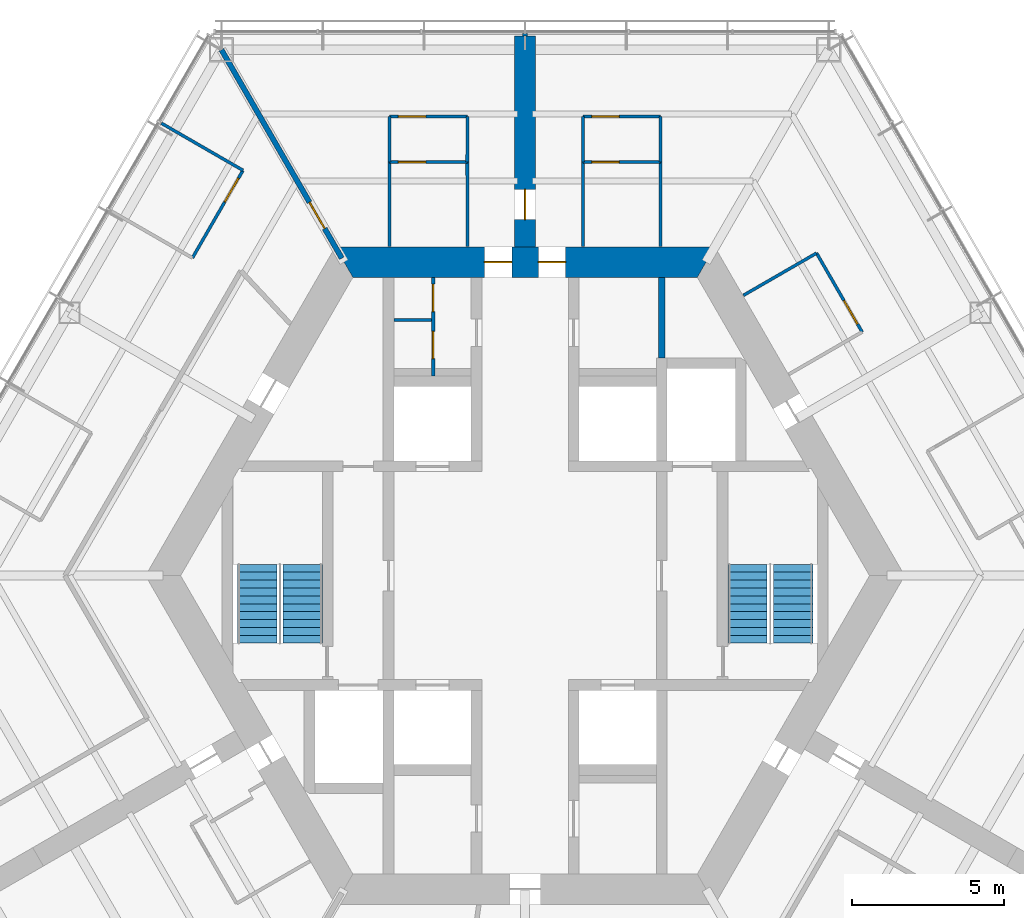
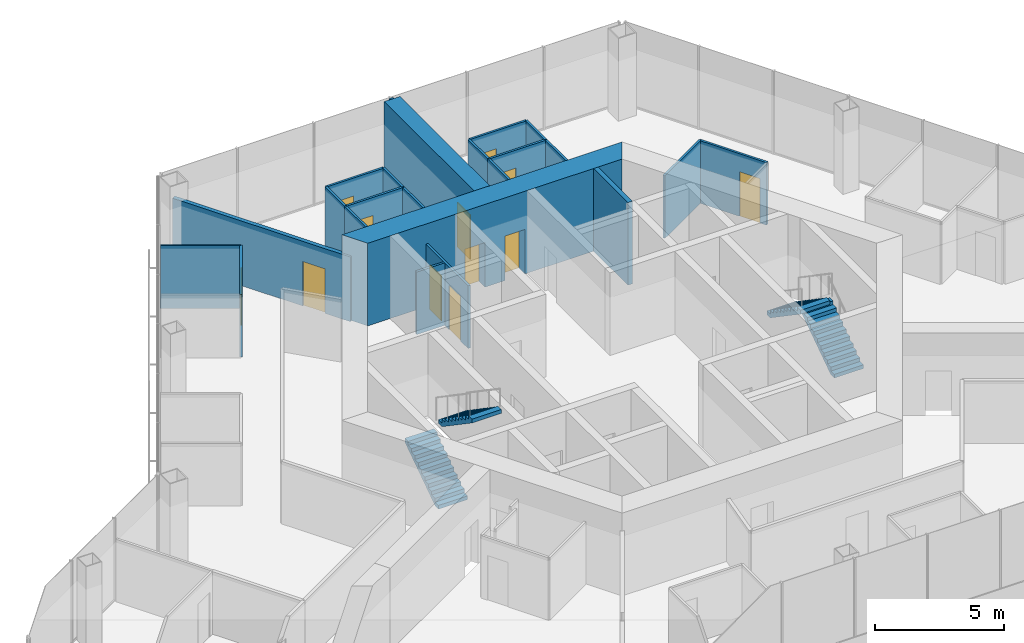
# One storey, part 15 of 18: 23 walls, 12 doors, 4 stair flights, 12 openings, 2 elements without a shape of their own.
"""IFC4 building model written with IfcOpenShell, lengths in metres."""

from ifc_helpers import new_model, si_unit, direction, frame, frame_2d, origin, place, context, subcontext, project, spatial, polyline, rectangle, outline, extrude, material, layer, layer_set, type_object, element, fill, aggregate, save


model = new_model("IFC4")

# Units and contexts
model_context = context("Model", 3, precision=1e-05, world=origin(), true_north=direction((0.0, 1.0)))
body_context = subcontext(model_context, "Body", "Model", "MODEL_VIEW")
ifc_project = project(units=[si_unit("LENGTHUNIT", "METRE"), si_unit("AREAUNIT", "SQUARE_METRE"), si_unit("VOLUMEUNIT", "CUBIC_METRE"), si_unit("PLANEANGLEUNIT", "RADIAN"), si_unit("MASSUNIT", "GRAM", prefix="KILO")], contexts=[model_context])

# Site, building, storey
site_placement = place(None, origin())
site = spatial("IfcSite", under=ifc_project, at=site_placement, CompositionType="ELEMENT")
building_placement = place(site_placement, origin())
building = spatial("IfcBuilding", under=site, at=building_placement, Name="Kasaneha Research Tower", CompositionType="ELEMENT")
storey_placement = place(building_placement, frame((0.0, 0.0, 183.800048828125)))
storey = spatial("IfcBuildingStorey", under=building, at=storey_placement, Name="L46", CompositionType="ELEMENT", Elevation=183.800048828125)

# Wall, openings, doors
ifc_material_1 = material(Name="Concrete Fc70", Category="concrete")
ifc_layer_1 = layer(ifc_material_1, 1.0)
ifc_layer_set_1 = layer_set([ifc_layer_1], Name="Core wall 1000 Fc70")
wall_type_1 = type_object("IfcWallType", Name="Core wall 1000 Fc70", PredefinedType="SHEAR", material=ifc_layer_set_1)
wall_1_placement = place(storey_placement, frame((5.961181640625, 10.324951171875, 0.0), z_axis=(0.0, 0.0, 1.0), x_axis=(-1.0, 0.0, 0.0)))
wall_1 = element("IfcWall", 1, at=wall_1_placement, inside=storey, type_object=wall_type_1, Name="Core wall 090 L46", PredefinedType="SHEAR", context=body_context, shape_type="SweptSolid", body=[
    extrude(outline(polyline([(-0.28857421875, -0.5), (4.62353515625, -0.5), (5.5234375, -0.5), (6.398681640625, -0.5), (7.298583984375, -0.5), (12.2109375, -0.5), (11.6337890625, 0.5), (7.298583984375, 0.5), (6.398681640625, 0.5), (5.5234375, 0.5), (4.62353515625, 0.5), (0.28857421875, 0.5), (-0.28857421875, -0.5)])), origin(), (0.0, 0.0, 1.0), 3.89990234375),
])
opening_1_placement = place(wall_1_placement, frame((6.398681640625, 0.0, 0.0)))
opening_1 = element("IfcOpeningElement", 2, at=opening_1_placement, cuts=wall_1, Name="Opening L46-D01", PredefinedType="OPENING", context=body_context, shape_type="SweptSolid", body=[
    extrude(rectangle(XDim=0.89990234375, YDim=2.10009765625, at=frame_2d((0.449951171875, 1.050048828125))), frame((0.0, 0.510009765625, 0.0), z_axis=(0.0, -1.0, 0.0), x_axis=(1.0, 0.0, 0.0)), (0.0, 0.0, 1.0), 1.02001953125),
])
opening_2_placement = place(wall_1_placement, frame((4.62353515625, 0.0, 0.0)))
opening_2 = element("IfcOpeningElement", 3, at=opening_2_placement, cuts=wall_1, Name="Opening L46-D02", PredefinedType="OPENING", context=body_context, shape_type="SweptSolid", body=[
    extrude(rectangle(XDim=0.89990234375, YDim=2.10009765625, at=frame_2d((0.449951171875, 1.050048828125))), frame((0.0, 0.510009765625, 0.0), z_axis=(0.0, -1.0, 0.0), x_axis=(1.0, 0.0, 0.0)), (0.0, 0.0, 1.0), 1.02001953125),
])
ifc_material_2 = material(Name="Steel", Category="steel")
door_type_1 = type_object("IfcDoorType", Name="Toilet door FD20 900x2100", OperationType="NOTDEFINED", PredefinedType="DOOR", material=ifc_material_2)
door_1_placement = place(opening_1_placement, origin())
door_1 = element("IfcDoor", 4, at=door_1_placement, inside=storey, type_object=door_type_1, Name="Core door north 1 L46-D01", OperationType="SINGLE_SWING_RIGHT", OverallHeight=2.10009765625, OverallWidth=0.89990234375, PredefinedType="DOOR", context=body_context, shape_type="SweptSolid", body=[
    extrude(rectangle(XDim=0.89990234375, YDim=2.10009765625, at=frame_2d((0.449951171875, 1.050048828125))), frame((0.0, 0.02490234375, 0.0), z_axis=(0.0, -1.0, 0.0), x_axis=(1.0, 0.0, 0.0)), (0.0, 0.0, 1.0), 0.050048828125),
])
fill(opening_1, door_1)
door_2_placement = place(opening_2_placement, origin())
door_2 = element("IfcDoor", 5, at=door_2_placement, inside=storey, type_object=door_type_1, Name="Core door north 2 L46-D02", OperationType="SINGLE_SWING_LEFT", OverallHeight=2.10009765625, OverallWidth=0.89990234375, PredefinedType="DOOR", context=body_context, shape_type="SweptSolid", body=[
    extrude(rectangle(XDim=0.89990234375, YDim=2.10009765625, at=frame_2d((0.449951171875, 1.050048828125))), frame((0.0, 0.02490234375, 0.0), z_axis=(0.0, -1.0, 0.0), x_axis=(1.0, 0.0, 0.0)), (0.0, 0.0, 1.0), 0.050048828125),
])
fill(opening_2, door_2)

ifc_material_3 = material(Name="Gypsum board on steel studs, one layer each side", Category="steel")
ifc_layer_2 = layer(ifc_material_3, 0.10009765625)
ifc_layer_set_2 = layer_set([ifc_layer_2], Name="Office partition 100")
wall_type_2 = type_object("IfcWallType", Name="Office partition 100", PredefinedType="PARTITIONING", material=ifc_layer_set_2)
wall_2_placement = place(storey_placement, frame((-3.02490234375, 6.574951171875, 0.0), z_axis=(0.0, 0.0, 1.0), x_axis=(0.0, 1.0, 0.0)))
wall_2 = element("IfcWall", 6, at=wall_2_placement, inside=storey, type_object=wall_type_2, Name="Office partition TBM1 L46", PredefinedType="PARTITIONING", context=body_context, shape_type="SweptSolid", body=[
    extrude(rectangle(XDim=3.25, YDim=0.10009765625, at=frame_2d((1.625, 0.0))), origin(), (0.0, 0.0, 1.0), 2.949951171875),
])
opening_3_placement = place(wall_2_placement, frame((0.574951171875, 0.0, 0.0)))
opening_3 = element("IfcOpeningElement", 7, at=opening_3_placement, cuts=wall_2, Name="Opening L46-D20", PredefinedType="OPENING", context=body_context, shape_type="SweptSolid", body=[
    extrude(rectangle(XDim=0.89990234375, YDim=2.10009765625, at=frame_2d((0.449951171875, 1.050048828125))), frame((0.0, 0.06005859375, 0.0), z_axis=(0.0, -1.0, 0.0), x_axis=(1.0, 0.0, 0.0)), (0.0, 0.0, 1.0), 0.1201171875),
])
opening_4_placement = place(wall_2_placement, frame((2.125, 0.0, 0.0)))
opening_4 = element("IfcOpeningElement", 8, at=opening_4_placement, cuts=wall_2, Name="Opening L46-D21", PredefinedType="OPENING", context=body_context, shape_type="SweptSolid", body=[
    extrude(rectangle(XDim=0.89990234375, YDim=2.10009765625, at=frame_2d((0.449951171875, 1.050048828125))), frame((0.0, 0.06005859375, 0.0), z_axis=(0.0, -1.0, 0.0), x_axis=(1.0, 0.0, 0.0)), (0.0, 0.0, 1.0), 0.1201171875),
])
ifc_material_4 = material(Name="Steel", Category="steel")
door_type_2 = type_object("IfcDoorType", Name="Toilet lobby door FD30 900x2100", OperationType="NOTDEFINED", PredefinedType="DOOR", material=ifc_material_4)
door_3_placement = place(opening_3_placement, origin())
door_3 = element("IfcDoor", 9, at=door_3_placement, inside=storey, type_object=door_type_2, Name="Men's WC door L46-D20", OperationType="SINGLE_SWING_RIGHT", OverallHeight=2.10009765625, OverallWidth=0.89990234375, PredefinedType="DOOR", context=body_context, shape_type="SweptSolid", body=[
    extrude(rectangle(XDim=0.89990234375, YDim=2.10009765625, at=frame_2d((0.449951171875, 1.050048828125))), frame((0.0, 0.02490234375, 0.0), z_axis=(0.0, -1.0, 0.0), x_axis=(1.0, 0.0, 0.0)), (0.0, 0.0, 1.0), 0.050048828125),
])
fill(opening_3, door_3)
door_4_placement = place(opening_4_placement, origin())
door_4 = element("IfcDoor", 10, at=door_4_placement, inside=storey, type_object=door_type_2, Name="Cleaner's store door L46-D21", OperationType="SINGLE_SWING_RIGHT", OverallHeight=2.10009765625, OverallWidth=0.89990234375, PredefinedType="DOOR", context=body_context, shape_type="SweptSolid", body=[
    extrude(rectangle(XDim=0.89990234375, YDim=2.10009765625, at=frame_2d((0.449951171875, 1.050048828125))), frame((0.0, 0.02490234375, 0.0), z_axis=(0.0, -1.0, 0.0), x_axis=(1.0, 0.0, 0.0)), (0.0, 0.0, 1.0), 0.050048828125),
])
fill(opening_4, door_4)

# Wall
wall_3_placement = place(storey_placement, frame((-3.074951171875, 8.425048828125, 0.0), z_axis=(0.0, 0.0, 1.0), x_axis=(-1.0, 0.0, 0.0)))
element("IfcWall", 11, at=wall_3_placement, inside=storey, type_object=wall_type_2, Name="Office partition TBM2 L46", PredefinedType="PARTITIONING", context=body_context, shape_type="SweptSolid", body=[
    extrude(rectangle(XDim=1.25, YDim=0.10009765625, at=frame_2d((0.625, 0.0))), origin(), (0.0, 0.0, 1.0), 2.949951171875),
])

# Wall, opening, door
wall_4_placement = place(storey_placement, frame((1.89990234375, 13.6201171875, 0.0), z_axis=(0.0, 0.0, 1.0), x_axis=(1.0, 0.0, 0.0)))
wall_4 = element("IfcWall", 12, at=wall_4_placement, inside=storey, type_object=wall_type_2, Name="Office partition FAE01 L46", PredefinedType="PARTITIONING", context=body_context, shape_type="SweptSolid", body=[
    extrude(rectangle(XDim=2.565185546875, YDim=0.10009765625, at=frame_2d((1.28271484375, 0.0))), origin(), (0.0, 0.0, 1.0), 2.949951171875),
])
opening_5_placement = place(wall_4_placement, frame((0.300048828125, 0.0, 0.0)))
opening_5 = element("IfcOpeningElement", 13, at=opening_5_placement, cuts=wall_4, Name="Opening L46-D24", PredefinedType="OPENING", context=body_context, shape_type="SweptSolid", body=[
    extrude(rectangle(XDim=0.89990234375, YDim=2.10009765625, at=frame_2d((0.449951171875, 1.050048828125))), frame((0.0, 0.06005859375, 0.0), z_axis=(0.0, -1.0, 0.0), x_axis=(1.0, 0.0, 0.0)), (0.0, 0.0, 1.0), 0.1201171875),
])
door_5_placement = place(opening_5_placement, origin())
door_5 = element("IfcDoor", 14, at=door_5_placement, inside=storey, type_object=door_type_2, Name="Women's WC door L46-D24", OperationType="SINGLE_SWING_LEFT", OverallHeight=2.10009765625, OverallWidth=0.89990234375, PredefinedType="DOOR", context=body_context, shape_type="SweptSolid", body=[
    extrude(rectangle(XDim=0.89990234375, YDim=2.10009765625, at=frame_2d((0.449951171875, 1.050048828125))), frame((0.0, 0.02490234375, 0.0), z_axis=(0.0, -1.0, 0.0), x_axis=(1.0, 0.0, 0.0)), (0.0, 0.0, 1.0), 0.050048828125),
])
fill(opening_5, door_5)

# Walls
for number, where, z_axis, x_axis, name in (
    (15, (1.89990234375, 10.844970703125, 0.0), (0.0, 0.0, 1.0), (0.001668567099, 0.999998607941, 0.0), "Office partition FAE02 L46"),
    (16, (4.460205078125, 13.625, 0.0), (0.0, 0.0, 1.0), (0.001756386155, -0.999998457553, 0.0), "Office partition FAE03 L46"),
):
    element("IfcWall", number, at=place(storey_placement, frame(where, z_axis=z_axis, x_axis=x_axis)), inside=storey, type_object=wall_type_2, Name=name, PredefinedType="PARTITIONING", context=body_context, shape_type="SweptSolid", body=[
        extrude(rectangle(XDim=2.780029296875, YDim=0.10009765625, at=frame_2d((1.39013671875, 0.0))), origin(), (0.0, 0.0, 1.0), 2.949951171875),
    ])

# Wall, opening, door
wall_5_placement = place(storey_placement, frame((1.89990234375, 15.125, 0.0), z_axis=(0.0, 0.0, 1.0), x_axis=(1.0, 0.0, 0.0)))
wall_5 = element("IfcWall", 17, at=wall_5_placement, inside=storey, type_object=wall_type_2, Name="Office partition FAE04 L46", PredefinedType="PARTITIONING", context=body_context, shape_type="SweptSolid", body=[
    extrude(rectangle(XDim=2.565185546875, YDim=0.10009765625, at=frame_2d((1.28271484375, 0.0))), origin(), (0.0, 0.0, 1.0), 2.949951171875),
])
opening_6_placement = place(wall_5_placement, frame((0.300048828125, 0.0, 0.0)))
opening_6 = element("IfcOpeningElement", 18, at=opening_6_placement, cuts=wall_5, Name="Opening L46-D25", PredefinedType="OPENING", context=body_context, shape_type="SweptSolid", body=[
    extrude(rectangle(XDim=0.89990234375, YDim=2.10009765625, at=frame_2d((0.449951171875, 1.050048828125))), frame((0.0, 0.06005859375, 0.0), z_axis=(0.0, -1.0, 0.0), x_axis=(1.0, 0.0, 0.0)), (0.0, 0.0, 1.0), 0.1201171875),
])
door_6_placement = place(opening_6_placement, origin())
door_6 = element("IfcDoor", 19, at=door_6_placement, inside=storey, type_object=door_type_2, Name="Toilet lobby door L46-D25", OperationType="SINGLE_SWING_LEFT", OverallHeight=2.10009765625, OverallWidth=0.89990234375, PredefinedType="DOOR", context=body_context, shape_type="SweptSolid", body=[
    extrude(rectangle(XDim=0.89990234375, YDim=2.10009765625, at=frame_2d((0.449951171875, 1.050048828125))), frame((0.0, 0.02490234375, 0.0), z_axis=(0.0, -1.0, 0.0), x_axis=(1.0, 0.0, 0.0)), (0.0, 0.0, 1.0), 0.050048828125),
])
fill(opening_6, door_6)

# Walls
for number, where, z_axis, x_axis, name in (
    (20, (1.904541015625, 13.625, 0.0), (0.0, 0.0, 1.0), (-0.00309243313, 0.999995218417, 0.0), "Office partition FAE05 L46"),
    (21, (4.465087890625, 15.125, 0.0), (0.0, 0.0, 1.0), (-0.003255191087, -0.999994701851, 0.0), "Office partition FAE06 L46"),
):
    element("IfcWall", number, at=place(storey_placement, frame(where, z_axis=z_axis, x_axis=x_axis)), inside=storey, type_object=wall_type_2, Name=name, PredefinedType="PARTITIONING", context=body_context, shape_type="SweptSolid", body=[
        extrude(rectangle(XDim=1.5, YDim=0.10009765625, at=frame_2d((0.75, 0.0))), origin(), (0.0, 0.0, 1.0), 2.949951171875),
    ])
wall_6_placement = place(storey_placement, frame((7.19189453125, 9.23291015625, 0.0), z_axis=(0.0, 0.0, 1.0), x_axis=(0.866018876994, 0.500011304563, 0.0)))
element("IfcWall", 22, at=wall_6_placement, inside=storey, type_object=wall_type_2, Name="Office partition FAE07 L46", PredefinedType="PARTITIONING", context=body_context, shape_type="SweptSolid", body=[
    extrude(rectangle(XDim=2.7802734375, YDim=0.10009765625, at=frame_2d((1.39013671875, 0.0))), origin(), (0.0, 0.0, 1.0), 2.949951171875),
])

# Wall, opening, door
wall_7_placement = place(storey_placement, frame((9.599609375, 10.623046875, 0.0), z_axis=(0.0, 0.0, 1.0), x_axis=(0.499990139034, -0.866031096941, 0.0)))
wall_7 = element("IfcWall", 23, at=wall_7_placement, inside=storey, type_object=wall_type_2, Name="Office partition FAE08 L46", PredefinedType="PARTITIONING", context=body_context, shape_type="SweptSolid", body=[
    extrude(rectangle(XDim=3.0, YDim=0.10009765625, at=frame_2d((1.5, 0.0))), origin(), (0.0, 0.0, 1.0), 2.949951171875),
])
opening_7_placement = place(wall_7_placement, frame((1.800048828125, 0.0, 0.0)))
opening_7 = element("IfcOpeningElement", 24, at=opening_7_placement, cuts=wall_7, Name="Opening L46-D26", PredefinedType="OPENING", context=body_context, shape_type="SweptSolid", body=[
    extrude(rectangle(XDim=0.89990234375, YDim=2.10009765625, at=frame_2d((0.449951171875, 1.050048828125))), frame((0.0, 0.06005859375, 0.0), z_axis=(0.0, -1.0, 0.0), x_axis=(1.0, 0.0, 0.0)), (0.0, 0.0, 1.0), 0.1201171875),
])
ifc_material_5 = material(Name="Timber veneer", Category="wood")
door_type_3 = type_object("IfcDoorType", Name="Office door 900x2100", OperationType="SINGLE_SWING_LEFT", PredefinedType="DOOR", material=ifc_material_5)
door_7_placement = place(opening_7_placement, origin())
door_7 = element("IfcDoor", 25, at=door_7_placement, inside=storey, type_object=door_type_3, Name="Pantry door L46-D26", OperationType="SINGLE_SWING_RIGHT", OverallHeight=2.10009765625, OverallWidth=0.89990234375, PredefinedType="DOOR", context=body_context, shape_type="SweptSolid", body=[
    extrude(rectangle(XDim=0.89990234375, YDim=2.10009765625, at=frame_2d((0.449951171875, 1.050048828125))), frame((0.0, 0.02490234375, 0.0), z_axis=(0.0, -1.0, 0.0), x_axis=(1.0, 0.0, 0.0)), (0.0, 0.0, 1.0), 0.050048828125),
])
fill(opening_7, door_7)

wall_8_placement = place(storey_placement, frame((-4.470947265625, 13.6201171875, 0.0), z_axis=(0.0, 0.0, 1.0), x_axis=(1.0, 0.0, 0.0)))
wall_8 = element("IfcWall", 26, at=wall_8_placement, inside=storey, type_object=wall_type_2, Name="Office partition FAW01 L46", PredefinedType="PARTITIONING", context=body_context, shape_type="SweptSolid", body=[
    extrude(rectangle(XDim=2.571044921875, YDim=0.10009765625, at=frame_2d((1.28564453125, 0.0))), origin(), (0.0, 0.0, 1.0), 2.949951171875),
])
opening_8_placement = place(wall_8_placement, frame((0.300048828125, 0.0, 0.0)))
opening_8 = element("IfcOpeningElement", 27, at=opening_8_placement, cuts=wall_8, Name="Opening L46-D29", PredefinedType="OPENING", context=body_context, shape_type="SweptSolid", body=[
    extrude(rectangle(XDim=0.89990234375, YDim=2.10009765625, at=frame_2d((0.449951171875, 1.050048828125))), frame((0.0, 0.06005859375, 0.0), z_axis=(0.0, -1.0, 0.0), x_axis=(1.0, 0.0, 0.0)), (0.0, 0.0, 1.0), 0.1201171875),
])
door_8_placement = place(opening_8_placement, origin())
door_8 = element("IfcDoor", 28, at=door_8_placement, inside=storey, type_object=door_type_2, Name="Men's WC door L46-D29", OperationType="SINGLE_SWING_LEFT", OverallHeight=2.10009765625, OverallWidth=0.89990234375, PredefinedType="DOOR", context=body_context, shape_type="SweptSolid", body=[
    extrude(rectangle(XDim=0.89990234375, YDim=2.10009765625, at=frame_2d((0.449951171875, 1.050048828125))), frame((0.0, 0.02490234375, 0.0), z_axis=(0.0, -1.0, 0.0), x_axis=(1.0, 0.0, 0.0)), (0.0, 0.0, 1.0), 0.050048828125),
])
fill(opening_8, door_8)

# Walls
for number, where, z_axis, x_axis, name in (
    (29, (-4.470947265625, 10.844970703125, 0.0), (0.0, 0.0, 1.0), (0.001668567099, 0.999998607941, 0.0), "Office partition FAW02 L46"),
    (30, (-1.90478515625, 13.625, 0.0), (0.0, 0.0, 1.0), (0.001756386155, -0.999998457553, 0.0), "Office partition FAW03 L46"),
):
    element("IfcWall", number, at=place(storey_placement, frame(where, z_axis=z_axis, x_axis=x_axis)), inside=storey, type_object=wall_type_2, Name=name, PredefinedType="PARTITIONING", context=body_context, shape_type="SweptSolid", body=[
        extrude(rectangle(XDim=2.780029296875, YDim=0.10009765625, at=frame_2d((1.39013671875, 0.0))), origin(), (0.0, 0.0, 1.0), 2.949951171875),
    ])

# Wall, opening, door
wall_9_placement = place(storey_placement, frame((-4.470947265625, 15.125, 0.0), z_axis=(0.0, 0.0, 1.0), x_axis=(1.0, 0.0, 0.0)))
wall_9 = element("IfcWall", 31, at=wall_9_placement, inside=storey, type_object=wall_type_2, Name="Office partition FAW04 L46", PredefinedType="PARTITIONING", context=body_context, shape_type="SweptSolid", body=[
    extrude(rectangle(XDim=2.571044921875, YDim=0.10009765625, at=frame_2d((1.28564453125, 0.0))), origin(), (0.0, 0.0, 1.0), 2.949951171875),
])
opening_9_placement = place(wall_9_placement, frame((0.300048828125, 0.0, 0.0)))
opening_9 = element("IfcOpeningElement", 32, at=opening_9_placement, cuts=wall_9, Name="Opening L46-D30", PredefinedType="OPENING", context=body_context, shape_type="SweptSolid", body=[
    extrude(rectangle(XDim=0.89990234375, YDim=2.10009765625, at=frame_2d((0.449951171875, 1.050048828125))), frame((0.0, 0.06005859375, 0.0), z_axis=(0.0, -1.0, 0.0), x_axis=(1.0, 0.0, 0.0)), (0.0, 0.0, 1.0), 0.1201171875),
])
door_9_placement = place(opening_9_placement, origin())
door_9 = element("IfcDoor", 33, at=door_9_placement, inside=storey, type_object=door_type_2, Name="Toilet lobby door L46-D30", OperationType="SINGLE_SWING_LEFT", OverallHeight=2.10009765625, OverallWidth=0.89990234375, PredefinedType="DOOR", context=body_context, shape_type="SweptSolid", body=[
    extrude(rectangle(XDim=0.89990234375, YDim=2.10009765625, at=frame_2d((0.449951171875, 1.050048828125))), frame((0.0, 0.02490234375, 0.0), z_axis=(0.0, -1.0, 0.0), x_axis=(1.0, 0.0, 0.0)), (0.0, 0.0, 1.0), 0.050048828125),
])
fill(opening_9, door_9)

# Walls
for number, where, z_axis, x_axis, name in (
    (34, (-4.46630859375, 13.625, 0.0), (0.0, 0.0, 1.0), (-0.00309243313, 0.999995218417, 0.0), "Office partition FAW05 L46"),
    (35, (-1.89990234375, 15.125, 0.0), (0.0, 0.0, 1.0), (-0.003255191087, -0.999994701851, 0.0), "Office partition FAW06 L46"),
):
    element("IfcWall", number, at=place(storey_placement, frame(where, z_axis=z_axis, x_axis=x_axis)), inside=storey, type_object=wall_type_2, Name=name, PredefinedType="PARTITIONING", context=body_context, shape_type="SweptSolid", body=[
        extrude(rectangle(XDim=1.5, YDim=0.10009765625, at=frame_2d((0.75, 0.0))), origin(), (0.0, 0.0, 1.0), 2.949951171875),
    ])
wall_10_placement = place(storey_placement, frame((-11.979736328125, 14.901611328125, 0.0), z_axis=(0.0, 0.0, 1.0), x_axis=(0.866042875753, -0.499969736442, 0.0)))
element("IfcWall", 36, at=wall_10_placement, inside=storey, type_object=wall_type_2, Name="Office partition FBN12 L46", PredefinedType="PARTITIONING", context=body_context, shape_type="SweptSolid", body=[
    extrude(rectangle(XDim=3.105224609375, YDim=0.10009765625, at=frame_2d((1.552734375, 0.0))), origin(), (0.0, 0.0, 1.0), 2.949951171875),
])

# Wall, opening, door
wall_11_placement = place(storey_placement, frame((-9.29052734375, 13.34912109375, 0.0), z_axis=(0.0, 0.0, 1.0), x_axis=(-0.500033344505, -0.86600615147, 0.0)))
wall_11 = element("IfcWall", 37, at=wall_11_placement, inside=storey, type_object=wall_type_2, Name="Office partition FBN14 L46", PredefinedType="PARTITIONING", context=body_context, shape_type="SweptSolid", body=[
    extrude(rectangle(XDim=3.330810546875, YDim=0.10009765625, at=frame_2d((1.66552734375, 0.0))), origin(), (0.0, 0.0, 1.0), 2.949951171875),
])
opening_10_placement = place(wall_11_placement, frame((0.300048828125, 0.0, 0.0)))
opening_10 = element("IfcOpeningElement", 38, at=opening_10_placement, cuts=wall_11, Name="Opening L46-D35", PredefinedType="OPENING", context=body_context, shape_type="SweptSolid", body=[
    extrude(rectangle(XDim=0.89990234375, YDim=2.10009765625, at=frame_2d((0.449951171875, 1.050048828125))), frame((0.0, 0.06005859375, 0.0), z_axis=(0.0, -1.0, 0.0), x_axis=(1.0, 0.0, 0.0)), (0.0, 0.0, 1.0), 0.1201171875),
])
door_10_placement = place(opening_10_placement, origin())
door_10 = element("IfcDoor", 39, at=door_10_placement, inside=storey, type_object=door_type_3, Name="Workroom door L46-D35", OperationType="SINGLE_SWING_LEFT", OverallHeight=2.10009765625, OverallWidth=0.89990234375, PredefinedType="DOOR", context=body_context, shape_type="SweptSolid", body=[
    extrude(rectangle(XDim=0.89990234375, YDim=2.10009765625, at=frame_2d((0.449951171875, 1.050048828125))), frame((0.0, 0.02490234375, 0.0), z_axis=(0.0, -1.0, 0.0), x_axis=(1.0, 0.0, 0.0)), (0.0, 0.0, 1.0), 0.050048828125),
])
fill(opening_10, door_10)

# Wall
ifc_material_6 = material(Name="Concrete block", Category="concrete")
ifc_layer_3 = layer(ifc_material_6, 0.199951171875)
ifc_layer_set_3 = layer_set([ifc_layer_3], Name="Riser enclosure wall 200")
wall_type_3 = type_object("IfcWallType", Name="Riser enclosure wall 200", PredefinedType="STANDARD", material=ifc_layer_set_3)
wall_12_placement = place(storey_placement, frame((4.5, 7.175048828125, 0.0), z_axis=(0.0, 0.0, 1.0), x_axis=(0.0, 1.0, 0.0)))
element("IfcWall", 40, at=wall_12_placement, inside=storey, type_object=wall_type_3, Name="Riser enclosure wall L46", PredefinedType="STANDARD", context=body_context, shape_type="SweptSolid", body=[
    extrude(rectangle(XDim=2.64990234375, YDim=0.199951171875, at=frame_2d((1.324951171875, 0.0))), origin(), (0.0, 0.0, 1.0), 3.89990234375),
])

# Wall, opening, door
ifc_material_7 = material(Name="Concrete Fc70", Category="concrete")
ifc_layer_4 = layer(ifc_material_7, 0.699951171875)
ifc_layer_set_4 = layer_set([ifc_layer_4], Name="Spine wall 700 Fc70")
wall_type_4 = type_object("IfcWallType", Name="Spine wall 700 Fc70", PredefinedType="SHEAR", material=ifc_layer_set_4)
wall_13_placement = place(storey_placement, frame((0.0, 10.824951171875, 0.0), z_axis=(0.0, 0.0, 1.0), x_axis=(0.0, 1.0, 0.0)))
wall_13 = element("IfcWall", 41, at=wall_13_placement, inside=storey, type_object=wall_type_4, Name="Spine wall A L46", PredefinedType="SHEAR", context=body_context, shape_type="SweptSolid", body=[
    extrude(rectangle(XDim=6.945556640625, YDim=0.699951171875, at=frame_2d((3.47265625, 0.0))), origin(), (0.0, 0.0, 1.0), 3.89990234375),
])
opening_11_placement = place(wall_13_placement, frame((0.89990234375, 0.0, 0.0)))
opening_11 = element("IfcOpeningElement", 42, at=opening_11_placement, cuts=wall_13, Name="Opening L46-D17", PredefinedType="OPENING", context=body_context, shape_type="SweptSolid", body=[
    extrude(rectangle(XDim=1.0, YDim=2.10009765625, at=frame_2d((0.5, 1.050048828125))), frame((0.0, 0.35986328125, 0.0), z_axis=(0.0, -1.0, 0.0), x_axis=(1.0, 0.0, 0.0)), (0.0, 0.0, 1.0), 0.719970703125),
])
ifc_material_8 = material(Name="Steel", Category="steel")
door_type_4 = type_object("IfcDoorType", Name="Specified fire door FD60 1000x2100", OperationType="NOTDEFINED", PredefinedType="DOOR", material=ifc_material_8)
door_11_placement = place(opening_11_placement, origin())
door_11 = element("IfcDoor", 43, at=door_11_placement, inside=storey, type_object=door_type_4, Name="Spine doorway A L46-D17", OperationType="SINGLE_SWING_LEFT", OverallHeight=2.10009765625, OverallWidth=1.0, PredefinedType="DOOR", context=body_context, shape_type="SweptSolid", body=[
    extrude(rectangle(XDim=1.0, YDim=2.10009765625, at=frame_2d((0.5, 1.050048828125))), frame((0.0, 0.02490234375, 0.0), z_axis=(0.0, -1.0, 0.0), x_axis=(1.0, 0.0, 0.0)), (0.0, 0.0, 1.0), 0.050048828125),
])
fill(opening_11, door_11)

ifc_material_9 = material(Name="Gypsum board on steel studs, two layers each side", Category="steel")
ifc_layer_5 = layer(ifc_material_9, 0.175048828125)
ifc_layer_set_5 = layer_set([ifc_layer_5], Name="Tenancy fire partition 175")
wall_type_5 = type_object("IfcWallType", Name="Tenancy fire partition 175", PredefinedType="PARTITIONING", material=ifc_layer_set_5)
wall_14_placement = place(storey_placement, frame((-6.034912109375, 10.45263671875, 0.0), z_axis=(0.0, 0.0, 1.0), x_axis=(-0.499989830942, 0.866031274813, 0.0)))
wall_14 = element("IfcWall", 44, at=wall_14_placement, inside=storey, type_object=wall_type_5, Name="Tenancy fire partition T120 L46", PredefinedType="PARTITIONING", context=body_context, shape_type="SweptSolid", body=[
    extrude(rectangle(XDim=7.930419921875, YDim=0.175048828125, at=frame_2d((3.96533203125, 0.0))), origin(), (0.0, 0.0, 1.0), 3.050048828125),
])
opening_12_placement = place(wall_14_placement, frame((1.1298828125, 0.0, 0.0)))
opening_12 = element("IfcOpeningElement", 45, at=opening_12_placement, cuts=wall_14, Name="Opening L46-D22", PredefinedType="OPENING", context=body_context, shape_type="SweptSolid", body=[
    extrude(rectangle(XDim=1.0, YDim=2.10009765625, at=frame_2d((0.5, 1.050048828125))), frame((0.0, 0.09765625, 0.0), z_axis=(0.0, -1.0, 0.0), x_axis=(1.0, 0.0, 0.0)), (0.0, 0.0, 1.0), 0.195068359375),
])
ifc_material_10 = material(Name="Steel", Category="steel")
door_type_5 = type_object("IfcDoorType", Name="Suite entrance door FD60 1000x2100", OperationType="NOTDEFINED", PredefinedType="DOOR", material=ifc_material_10)
door_12_placement = place(opening_12_placement, origin())
door_12 = element("IfcDoor", 46, at=door_12_placement, inside=storey, type_object=door_type_5, Name="Connecting door L46-D22", OperationType="SINGLE_SWING_LEFT", OverallHeight=2.10009765625, OverallWidth=1.0, PredefinedType="DOOR", context=body_context, shape_type="SweptSolid", body=[
    extrude(rectangle(XDim=1.0, YDim=2.10009765625, at=frame_2d((0.5, 1.050048828125))), frame((0.0, 0.02490234375, 0.0), z_axis=(0.0, -1.0, 0.0), x_axis=(1.0, 0.0, 0.0)), (0.0, 0.0, 1.0), 0.050048828125),
])
fill(opening_12, door_12)

# Wall
wall_15_placement = place(storey_placement, frame((0.0, 17.7705078125, 0.0), z_axis=(0.0, 0.0, 1.0), x_axis=(0.0, 1.0, 0.0)))
element("IfcWall", 47, at=wall_15_placement, inside=storey, type_object=wall_type_5, Name="Spine wall closer SW3-700 L46", PredefinedType="PARTITIONING", context=body_context, shape_type="SweptSolid", body=[
    extrude(rectangle(XDim=0.080078125, YDim=0.175048828125, at=frame_2d((0.0400390625, 0.0))), origin(), (0.0, 0.0, 1.0), 3.89990234375),
])

# Stair, stair flights
ifc_material_11 = material(Name="Concrete Fc24", Category="concrete")
stair_type = type_object("IfcStairType", Name="Half-turn stair 22 risers", PredefinedType="HALF_TURN_STAIR", material=ifc_material_11)
stair_1_placement = place(storey_placement, origin())
stair_1 = element("IfcStair", 48, at=stair_1_placement, inside=storey, type_object=stair_type, Name="Stair 1 L46", PredefinedType="HALF_TURN_STAIR")
ifc_material_12 = material(Name="Concrete Fc24", Category="concrete")
stair_flight_type = type_object("IfcStairFlightType", Name="Stair flight 11 risers 177.3", PredefinedType="STRAIGHT", material=ifc_material_12)
stair_flight_1_placement = place(storey_placement, frame((8.824951171875, -2.22509765625, 0.0), z_axis=(0.0, 0.0, 1.0), x_axis=(0.0, 1.0, 0.0)))
stair_flight_1 = element("IfcStairFlight", 49, at=stair_flight_1_placement, type_object=stair_flight_type, Name="ST1-22R flight 1", NumberOfRisers=11, NumberOfTreads=10, PredefinedType="STRAIGHT", RiserHeight=0.177272727, TreadLength=0.26, context=body_context, shape_type="SweptSolid", body=[
    extrude(outline(polyline([(0.0, 0.0), (0.0, 0.17724609375), (0.260009765625, 0.17724609375), (0.260009765625, 0.3544921875), (0.52001953125, 0.3544921875), (0.52001953125, 0.53173828125), (0.780029296875, 0.53173828125), (0.780029296875, 0.708984375), (1.0400390625, 0.708984375), (1.0400390625, 0.886474609375), (1.300048828125, 0.886474609375), (1.300048828125, 1.063720703125), (1.56005859375, 1.063720703125), (1.56005859375, 1.240966796875), (1.820068359375, 1.240966796875), (1.820068359375, 1.418212890625), (2.080078125, 1.418212890625), (2.080078125, 1.595458984375), (2.340087890625, 1.595458984375), (2.340087890625, 1.772705078125), (2.60009765625, 1.772705078125), (2.60009765625, 1.949951171875), (2.60009765625, 1.59130859375), (0.26611328125, 0.0), (0.0, 0.0)])), frame((0.0, 0.64990234375, 0.0), z_axis=(0.0, -1.0, 0.0), x_axis=(1.0, 0.0, 0.0)), (0.0, 0.0, 1.0), 1.300048828125),
])
stair_flight_2_placement = place(storey_placement, frame((7.324951171875, 0.375, 1.949951171875), z_axis=(0.0, 0.0, 1.0), x_axis=(0.0, -1.0, 0.0)))
stair_flight_2 = element("IfcStairFlight", 50, at=stair_flight_2_placement, type_object=stair_flight_type, Name="ST1-22R flight 2", NumberOfRisers=11, NumberOfTreads=10, PredefinedType="STRAIGHT", RiserHeight=0.177272727, TreadLength=0.26, context=body_context, shape_type="SweptSolid", body=[
    extrude(outline(polyline([(0.0, 0.0), (0.0, 0.17724609375), (0.260009765625, 0.17724609375), (0.260009765625, 0.3544921875), (0.52001953125, 0.3544921875), (0.52001953125, 0.53173828125), (0.780029296875, 0.53173828125), (0.780029296875, 0.708984375), (1.0400390625, 0.708984375), (1.0400390625, 0.886474609375), (1.300048828125, 0.886474609375), (1.300048828125, 1.063720703125), (1.56005859375, 1.063720703125), (1.56005859375, 1.240966796875), (1.820068359375, 1.240966796875), (1.820068359375, 1.418212890625), (2.080078125, 1.418212890625), (2.080078125, 1.595458984375), (2.340087890625, 1.595458984375), (2.340087890625, 1.772705078125), (2.60009765625, 1.772705078125), (2.60009765625, 1.949951171875), (2.60009765625, 1.59130859375), (0.26611328125, 0.0), (0.0, 0.0)])), frame((0.0, 0.64990234375, 0.0), z_axis=(0.0, -1.0, 0.0), x_axis=(1.0, 0.0, 0.0)), (0.0, 0.0, 1.0), 1.300048828125),
])
aggregate(stair_1, [stair_flight_1, stair_flight_2])

stair_2_placement = place(storey_placement, origin())
stair_2 = element("IfcStair", 51, at=stair_2_placement, inside=storey, type_object=stair_type, Name="Stair 2 L46", PredefinedType="HALF_TURN_STAIR")
stair_flight_3_placement = place(storey_placement, frame((-8.824951171875, -2.22509765625, 0.0), z_axis=(0.0, 0.0, 1.0), x_axis=(0.0, 1.0, 0.0)))
stair_flight_3 = element("IfcStairFlight", 52, at=stair_flight_3_placement, type_object=stair_flight_type, Name="ST2-22R flight 1", NumberOfRisers=11, NumberOfTreads=10, PredefinedType="STRAIGHT", RiserHeight=0.177272727, TreadLength=0.26, context=body_context, shape_type="SweptSolid", body=[
    extrude(outline(polyline([(0.0, 0.0), (0.0, 0.17724609375), (0.260009765625, 0.17724609375), (0.260009765625, 0.3544921875), (0.52001953125, 0.3544921875), (0.52001953125, 0.53173828125), (0.780029296875, 0.53173828125), (0.780029296875, 0.708984375), (1.0400390625, 0.708984375), (1.0400390625, 0.886474609375), (1.300048828125, 0.886474609375), (1.300048828125, 1.063720703125), (1.56005859375, 1.063720703125), (1.56005859375, 1.240966796875), (1.820068359375, 1.240966796875), (1.820068359375, 1.418212890625), (2.080078125, 1.418212890625), (2.080078125, 1.595458984375), (2.340087890625, 1.595458984375), (2.340087890625, 1.772705078125), (2.60009765625, 1.772705078125), (2.60009765625, 1.949951171875), (2.60009765625, 1.59130859375), (0.26611328125, 0.0), (0.0, 0.0)])), frame((0.0, 0.64990234375, 0.0), z_axis=(0.0, -1.0, 0.0), x_axis=(1.0, 0.0, 0.0)), (0.0, 0.0, 1.0), 1.300048828125),
])
stair_flight_4_placement = place(storey_placement, frame((-7.324951171875, 0.375, 1.949951171875), z_axis=(0.0, 0.0, 1.0), x_axis=(0.0, -1.0, 0.0)))
stair_flight_4 = element("IfcStairFlight", 53, at=stair_flight_4_placement, type_object=stair_flight_type, Name="ST2-22R flight 2", NumberOfRisers=11, NumberOfTreads=10, PredefinedType="STRAIGHT", RiserHeight=0.177272727, TreadLength=0.26, context=body_context, shape_type="SweptSolid", body=[
    extrude(outline(polyline([(0.0, 0.0), (0.0, 0.17724609375), (0.260009765625, 0.17724609375), (0.260009765625, 0.3544921875), (0.52001953125, 0.3544921875), (0.52001953125, 0.53173828125), (0.780029296875, 0.53173828125), (0.780029296875, 0.708984375), (1.0400390625, 0.708984375), (1.0400390625, 0.886474609375), (1.300048828125, 0.886474609375), (1.300048828125, 1.063720703125), (1.56005859375, 1.063720703125), (1.56005859375, 1.240966796875), (1.820068359375, 1.240966796875), (1.820068359375, 1.418212890625), (2.080078125, 1.418212890625), (2.080078125, 1.595458984375), (2.340087890625, 1.595458984375), (2.340087890625, 1.772705078125), (2.60009765625, 1.772705078125), (2.60009765625, 1.949951171875), (2.60009765625, 1.59130859375), (0.26611328125, 0.0), (0.0, 0.0)])), frame((0.0, 0.64990234375, 0.0), z_axis=(0.0, -1.0, 0.0), x_axis=(1.0, 0.0, 0.0)), (0.0, 0.0, 1.0), 1.300048828125),
])
aggregate(stair_2, [stair_flight_3, stair_flight_4])

save(model, "model.ifc")
